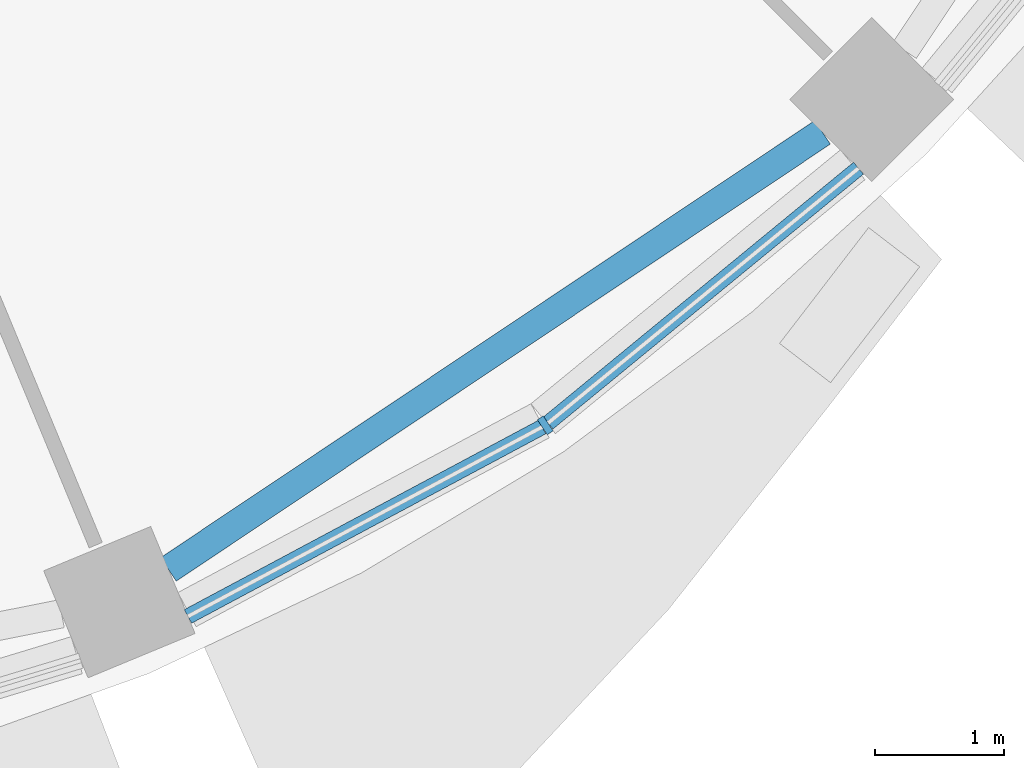
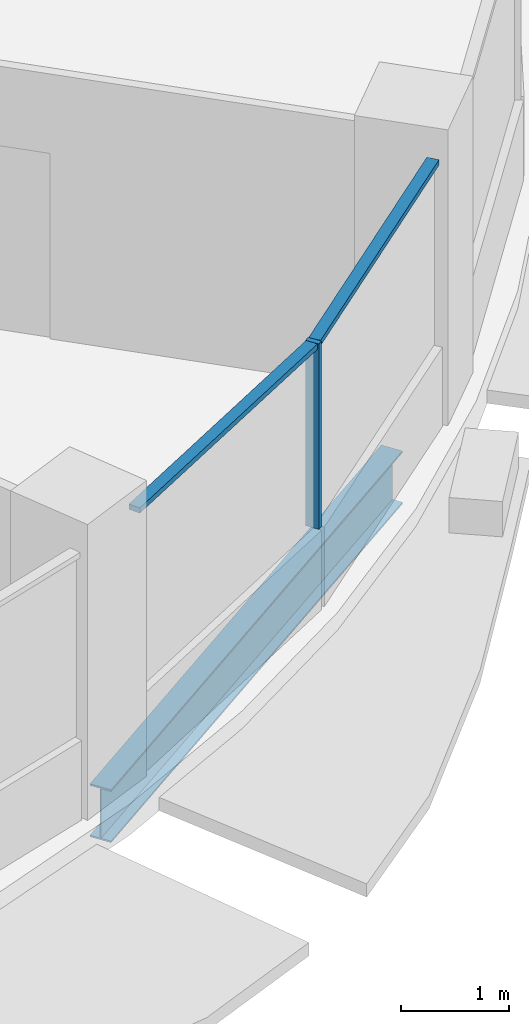
# One storey, part 3 of 15: 3 members, 1 beam, 1 element without a shape of its own.
"""IFC4 building model written with IfcOpenShell, lengths in metres."""

from ifc_helpers import new_model, si_unit, direction, frame, origin, origin_2d, place, context, subcontext, project, spatial, rectangle, i_section, extrude, material, material_profile, profile_set, type_object, element, aggregate, save


model = new_model("IFC4")

# Units and contexts
model_context = context("Model", 3, precision=1e-05, world=origin(), true_north=direction((0.0, 1.0)))
body_context = subcontext(model_context, "Body", "Model", "MODEL_VIEW")
ifc_project = project(units=[si_unit("LENGTHUNIT", "METRE"), si_unit("AREAUNIT", "SQUARE_METRE"), si_unit("VOLUMEUNIT", "CUBIC_METRE"), si_unit("PLANEANGLEUNIT", "RADIAN"), si_unit("MASSUNIT", "GRAM", prefix="KILO")], contexts=[model_context])

# Site, building, storey
site_placement = place(None, origin())
site = spatial("IfcSite", under=ifc_project, at=site_placement, CompositionType="ELEMENT")
building_placement = place(site_placement, origin())
building = spatial("IfcBuilding", under=site, at=building_placement, Name="Polderwave Tower", CompositionType="ELEMENT")
storey_placement = place(building_placement, frame((0.0, 0.0, 177.60009765625)))
storey = spatial("IfcBuildingStorey", under=building, at=storey_placement, Name="L47", CompositionType="ELEMENT", Elevation=177.60009765625)

# Curtain wall, members
ifc_material_1 = material(Name="Aluminium 6063-T6 and glass", Category="aluminium")
curtain_wall_type = type_object("IfcCurtainWallType", Name="Office ribbon glazing wall", PredefinedType="NOTDEFINED", material=ifc_material_1)
curtain_wall_placement = place(storey_placement, origin())
curtain_wall = element("IfcCurtainWall", 1, at=curtain_wall_placement, inside=storey, type_object=curtain_wall_type, Name="CW3 L47 13", PredefinedType="NOTDEFINED")
ifc_material_2 = material(Name="Aluminium 6063-T6", Category="aluminium")
ifc_material_profile_1 = material_profile(ifc_material_2, rectangle(XDim=0.139892578125, YDim=0.054931640625, at=origin_2d()), Name="AL 55x140")
ifc_profile_set_1 = profile_set([ifc_material_profile_1], Name="Aluminium 6063-T6")
member_type_1 = type_object("IfcMemberType", Name="Office ribbon glazing mullion 55x140", PredefinedType="MULLION", material=ifc_profile_set_1)
member_1_placement = place(storey_placement, frame((10.2060546875, -15.27392578125, 0.89990234375), z_axis=(0.0, 0.0, 1.0), x_axis=(-0.555695028949, 0.83138621278, 0.0)))
member_1 = element("IfcMember", 2, at=member_1_placement, type_object=member_type_1, Name="CW3 mullion 1", PredefinedType="MULLION", context=body_context, shape_type="SweptSolid", body=[
    extrude(rectangle(XDim=0.139892578125, YDim=0.054931640625, at=origin_2d()), origin(), (0.0, 0.0, 1.0), 2.10009765625),
])
ifc_material_profile_2 = material_profile(ifc_material_2, rectangle(XDim=0.1201171875, YDim=0.06005859375, at=origin_2d()), Name="AL 60x120")
ifc_profile_set_2 = profile_set([ifc_material_profile_2], Name="Aluminium 6063-T6")
member_type_2 = type_object("IfcMemberType", Name="Office ribbon glazing transom 60x120", PredefinedType="USERDEFINED", material=ifc_profile_set_2)
member_2_placement = place(storey_placement, frame((7.428955078125, -16.759033203125, 2.969970703125), z_axis=(0.881843639601, 0.471541933761, 0.0), x_axis=(-0.471541933761, 0.881843639601, 0.0)))
member_2 = element("IfcMember", 3, at=member_2_placement, type_object=member_type_2, Name="CW3 transom 1", ObjectType="TRANSOM", PredefinedType="USERDEFINED", context=body_context, shape_type="SweptSolid", body=[
    extrude(rectangle(XDim=0.1201171875, YDim=0.06005859375, at=origin_2d()), origin(), (0.0, 0.0, 1.0), 3.12158203125),
])
member_3_placement = place(storey_placement, frame((10.227294921875, -15.256591796875, 2.969970703125), z_axis=(0.772893374383, 0.634535918475, 0.0), x_axis=(-0.634535918475, 0.772893374383, 0.0)))
member_3 = element("IfcMember", 4, at=member_3_placement, type_object=member_type_2, Name="CW3 transom 2", ObjectType="TRANSOM", PredefinedType="USERDEFINED", context=body_context, shape_type="SweptSolid", body=[
    extrude(rectangle(XDim=0.1201171875, YDim=0.06005859375, at=origin_2d()), origin(), (0.0, 0.0, 1.0), 3.12158203125),
])
aggregate(curtain_wall, [member_1, member_2, member_3])

# Beam
ifc_material_3 = material(Name="Steel S355", Category="steel")
ifc_material_profile_3 = material_profile(ifc_material_3, i_section(OverallWidth=0.219970703125, OverallDepth=0.60009765625, WebThickness=0.011962890625, FlangeThickness=0.01904296875, at=origin_2d()), Name="IPE 600")
ifc_profile_set_3 = profile_set([ifc_material_profile_3], Name="Steel S355")
beam_type = type_object("IfcBeamType", Name="RING BEAM IPE 600", PredefinedType="BEAM", material=ifc_profile_set_3)
beam_placement = place(storey_placement, frame((7.27734375, -16.393310546875, -0.650146484375), z_axis=(0.831490778911, 0.555538553645, 0.0), x_axis=(-0.555538553645, 0.831490778911, 0.0)))
element("IfcBeam", 5, at=beam_placement, inside=storey, type_object=beam_type, Name="ST-RB-L47-13", PredefinedType="BEAM", context=body_context, shape_type="SweptSolid", body=[
    extrude(i_section(OverallWidth=0.219970703125, OverallDepth=0.60009765625, WebThickness=0.011962890625, FlangeThickness=0.01904296875, at=origin_2d()), origin(), (0.0, 0.0, 1.0), 6.113525390625),
])

save(model, "model.ifc")
